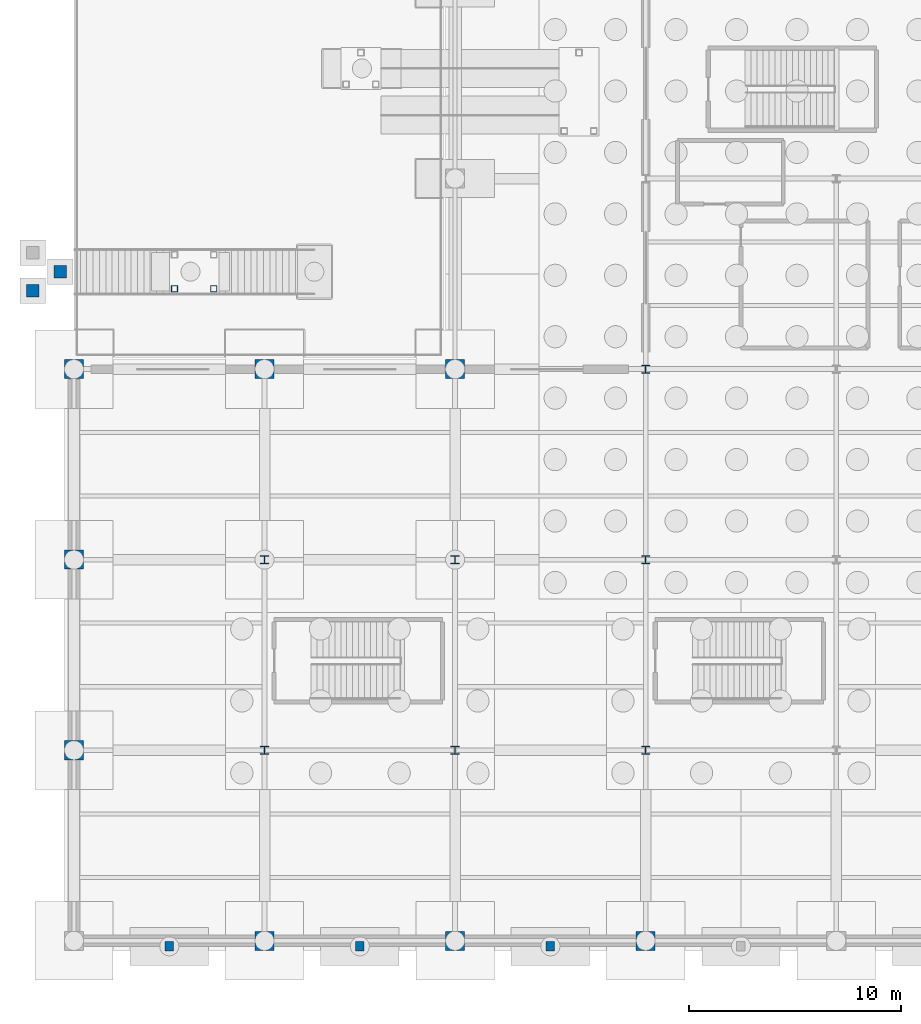
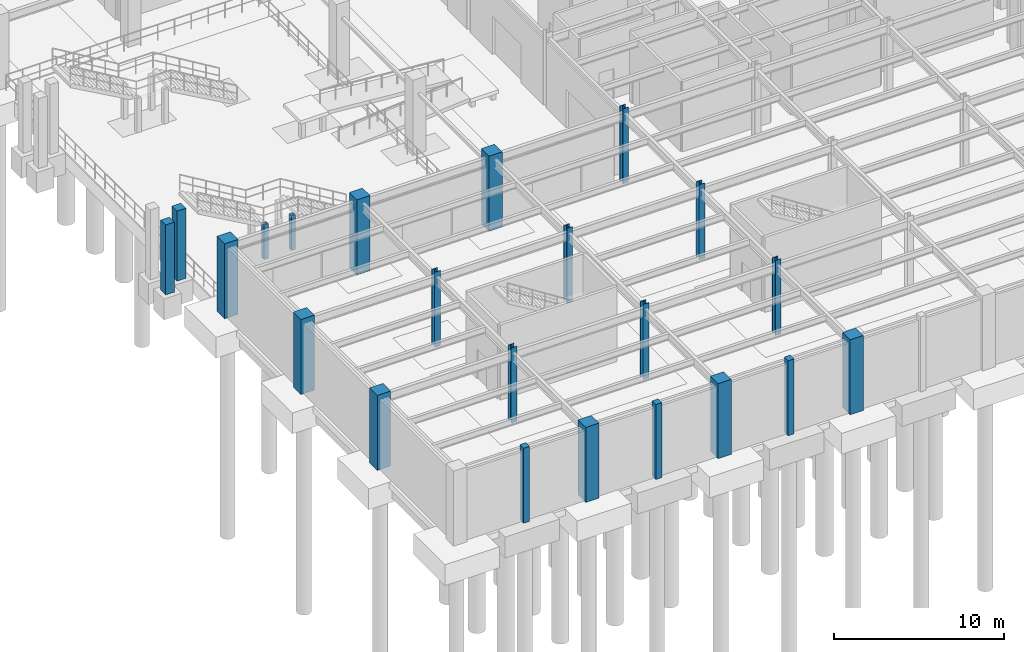
# One storey, part 10 of 56: 22 columns.
"""IFC4 building model written with IfcOpenShell, lengths in metres."""

from ifc_helpers import new_model, si_unit, direction, frame, origin, origin_2d, place, context, subcontext, project, spatial, rectangle, hollow_rectangle, i_section, extrude, material, material_profile, profile_set, type_object, element, save


model = new_model("IFC4")

# Units and contexts
model_context = context("Model", 3, precision=1e-05, world=origin(), true_north=direction((0.0, 1.0)))
body_context = subcontext(model_context, "Body", "Model", "MODEL_VIEW")
ifc_project = project(units=[si_unit("LENGTHUNIT", "METRE"), si_unit("AREAUNIT", "SQUARE_METRE"), si_unit("VOLUMEUNIT", "CUBIC_METRE"), si_unit("PLANEANGLEUNIT", "RADIAN"), si_unit("MASSUNIT", "GRAM", prefix="KILO")], contexts=[model_context])

# Site, building, storey
site_placement = place(None, origin())
site = spatial("IfcSite", under=ifc_project, at=site_placement, CompositionType="ELEMENT")
building_placement = place(site_placement, origin())
building = spatial("IfcBuilding", under=site, at=building_placement, Name="Glasvene Arena", CompositionType="ELEMENT")
storey_placement = place(building_placement, frame((0.0, 0.0, -5.39990234375)))
storey = spatial("IfcBuildingStorey", under=building, at=storey_placement, Name="B1", CompositionType="ELEMENT", Elevation=-5.39990234375)

# Columns
ifc_material_1 = material(Name="Concrete C40/50", Category="concrete")
ifc_material_profile_1 = material_profile(ifc_material_1, rectangle(XDim=0.89990234375, YDim=0.89990234375, at=origin_2d()), Name="RC 900x900")
ifc_profile_set_1 = profile_set([ifc_material_profile_1], Name="Concrete C40/50")
column_type_1 = type_object("IfcColumnType", Name="COL-BOWL-RC900", PredefinedType="COLUMN", material=ifc_profile_set_1)
for number, where, z_axis, x_axis, name in (
    (1, (0.0, 9.0, 0.0), (0.0, 0.0, 1.0), (1.0, 0.0, 0.0), "Grid column 1-2 B1"),
    (2, (0.0, 18.0, 0.0), (0.0, 0.0, 1.0), (1.0, 0.0, 0.0), "Grid column 1-3 B1"),
    (3, (0.0, 27.0, 0.0), (0.0, 0.0, 1.0), (1.0, 0.0, 0.0), "Grid column 1-4 B1"),
    (4, (9.0, 0.0, 0.0), (0.0, 0.0, 1.0), (1.0, 0.0, 0.0), "Grid column 2-1 B1"),
    (5, (9.0, 27.0, 0.0), (0.0, 0.0, 1.0), (1.0, 0.0, 0.0), "Grid column 2-4 B1"),
    (6, (18.0, 0.0, 0.0), (0.0, 0.0, 1.0), (1.0, 0.0, 0.0), "Grid column 3-1 B1"),
    (7, (18.0, 27.0, 0.0), (0.0, 0.0, 1.0), (1.0, 0.0, 0.0), "Grid column 3-4 B1"),
    (8, (27.0, 0.0, 0.0), (0.0, 0.0, 1.0), (1.0, 0.0, 0.0), "Grid column 4-1 B1"),
):
    element("IfcColumn", number, at=place(storey_placement, frame(where, z_axis=z_axis, x_axis=x_axis)), inside=storey, type_object=column_type_1, Name=name, PredefinedType="COLUMN", context=body_context, shape_type="SweptSolid", body=[
        extrude(rectangle(XDim=0.89990234375, YDim=0.89990234375, at=origin_2d()), origin(), (0.0, 0.0, 1.0), 5.39990234375),
    ])
ifc_material_profile_2 = material_profile(ifc_material_1, rectangle(XDim=0.60009765625, YDim=0.60009765625, at=origin_2d()), Name="RC 600x600")
ifc_profile_set_2 = profile_set([ifc_material_profile_2], Name="Concrete C40/50")
column_type_2 = type_object("IfcColumnType", Name="COL-IN-RC600", PredefinedType="COLUMN", material=ifc_profile_set_2)
for number, where, z_axis, x_axis, name in (
    (9, (-1.949951171875, 30.699951171875, 0.0), (0.0, 0.0, 1.0), (1.0, 0.0, 0.0), "Metro threshold support pier 1"),
    (10, (-0.64990234375, 31.60009765625, 0.0), (0.0, 0.0, 1.0), (1.0, 0.0, 0.0), "Metro threshold support pier 1"),
):
    element("IfcColumn", number, at=place(storey_placement, frame(where, z_axis=z_axis, x_axis=x_axis)), inside=storey, type_object=column_type_2, Name=name, PredefinedType="COLUMN", context=body_context, shape_type="SweptSolid", body=[
        extrude(rectangle(XDim=0.60009765625, YDim=0.60009765625, at=origin_2d()), origin(), (0.0, 0.0, 1.0), 5.039794921875),
    ])
ifc_material_2 = material(Name="Steel S355J2", Category="steel")
ifc_material_profile_3 = material_profile(ifc_material_2, hollow_rectangle(XDim=0.300048828125, YDim=0.300048828125, WallThickness=0.012451171875, at=origin_2d()), Name="SHS 300x300x12.5")
ifc_profile_set_3 = profile_set([ifc_material_profile_3], Name="Steel S355J2")
column_type_3 = type_object("IfcColumnType", Name="COL-W-SHS300", PredefinedType="COLUMN", material=ifc_profile_set_3)
for number, where, z_axis, x_axis, name in (
    (11, (4.75, 30.800048828125, 0.0), (0.0, 0.0, 1.0), (1.0, 0.0, 0.0), "Metro stair landing pier 1"),
    (12, (6.60009765625, 30.800048828125, 0.0), (0.0, 0.0, 1.0), (1.0, 0.0, 0.0), "Metro stair landing pier 1"),
):
    element("IfcColumn", number, at=place(storey_placement, frame(where, z_axis=z_axis, x_axis=x_axis)), inside=storey, type_object=column_type_3, Name=name, PredefinedType="COLUMN", context=body_context, shape_type="SweptSolid", body=[
        extrude(hollow_rectangle(XDim=0.300048828125, YDim=0.300048828125, WallThickness=0.012451171875, at=origin_2d()), origin(), (0.0, 0.0, 1.0), 2.47998046875),
    ])
ifc_material_profile_4 = material_profile(ifc_material_2, i_section(OverallWidth=0.394775390625, OverallDepth=0.381103515625, WebThickness=0.018310546875, FlangeThickness=0.0302734375, FilletRadius=0.01513671875, at=origin_2d()), Name="UKC 356x406x235")
ifc_profile_set_4 = profile_set([ifc_material_profile_4], Name="Steel S355J2")
column_type_4 = type_object("IfcColumnType", Name="COL-W-UKC235", PredefinedType="COLUMN", material=ifc_profile_set_4)
for number, where, z_axis, x_axis, name in (
    (13, (9.0, 9.0, 0.0), (0.0, 0.0, 1.0), (1.0, 0.0, 0.0), "Grid column 2-2 B1"),
    (14, (9.0, 18.0, 0.0), (0.0, 0.0, 1.0), (1.0, 0.0, 0.0), "Grid column 2-3 B1"),
    (15, (18.0, 9.0, 0.0), (0.0, 0.0, 1.0), (1.0, 0.0, 0.0), "Grid column 3-2 B1"),
    (16, (18.0, 18.0, 0.0), (0.0, 0.0, 1.0), (1.0, 0.0, 0.0), "Grid column 3-3 B1"),
    (17, (27.0, 9.0, 0.0), (0.0, 0.0, 1.0), (1.0, 0.0, 0.0), "Grid column 4-2 B1"),
    (18, (27.0, 18.0, 0.0), (0.0, 0.0, 1.0), (1.0, 0.0, 0.0), "Grid column 4-3 B1"),
    (19, (27.0, 27.0, 0.0), (0.0, 0.0, 1.0), (1.0, 0.0, 0.0), "Grid column 4-4 B1"),
):
    element("IfcColumn", number, at=place(storey_placement, frame(where, z_axis=z_axis, x_axis=x_axis)), inside=storey, type_object=column_type_4, Name=name, PredefinedType="COLUMN", context=body_context, shape_type="SweptSolid", body=[
        extrude(i_section(OverallWidth=0.394775390625, OverallDepth=0.381103515625, WebThickness=0.018310546875, FlangeThickness=0.0302734375, FilletRadius=0.01513671875, at=origin_2d()), origin(), (0.0, 0.0, 1.0), 5.39990234375),
    ])
ifc_material_3 = material(Name="Precast concrete C50/60", Category="concrete")
ifc_material_profile_5 = material_profile(ifc_material_3, rectangle(XDim=0.39990234375, YDim=0.449951171875, at=origin_2d()), Name="RC 400x450")
ifc_profile_set_5 = profile_set([ifc_material_profile_5], Name="Precast concrete C50/60")
column_type_5 = type_object("IfcColumnType", Name="PIL-LIM-400", PredefinedType="PILASTER", material=ifc_profile_set_5)
for number, where, z_axis, x_axis, name in (
    (20, (4.5, -0.260009765625, 0.0), (0.0, 0.0, 1.0), (1.0, 0.0, 0.0), "Limestone pilaster PL-01 B1"),
    (21, (13.5, -0.260009765625, 0.0), (0.0, 0.0, 1.0), (1.0, 0.0, 0.0), "Limestone pilaster PL-02 B1"),
    (22, (22.5, -0.260009765625, 0.0), (0.0, 0.0, 1.0), (1.0, 0.0, 0.0), "Limestone pilaster PL-03 B1"),
):
    element("IfcColumn", number, at=place(storey_placement, frame(where, z_axis=z_axis, x_axis=x_axis)), inside=storey, type_object=column_type_5, Name=name, PredefinedType="PILASTER", context=body_context, shape_type="SweptSolid", body=[
        extrude(rectangle(XDim=0.39990234375, YDim=0.449951171875, at=origin_2d()), origin(), (0.0, 0.0, 1.0), 5.39990234375),
    ])

save(model, "model.ifc")
